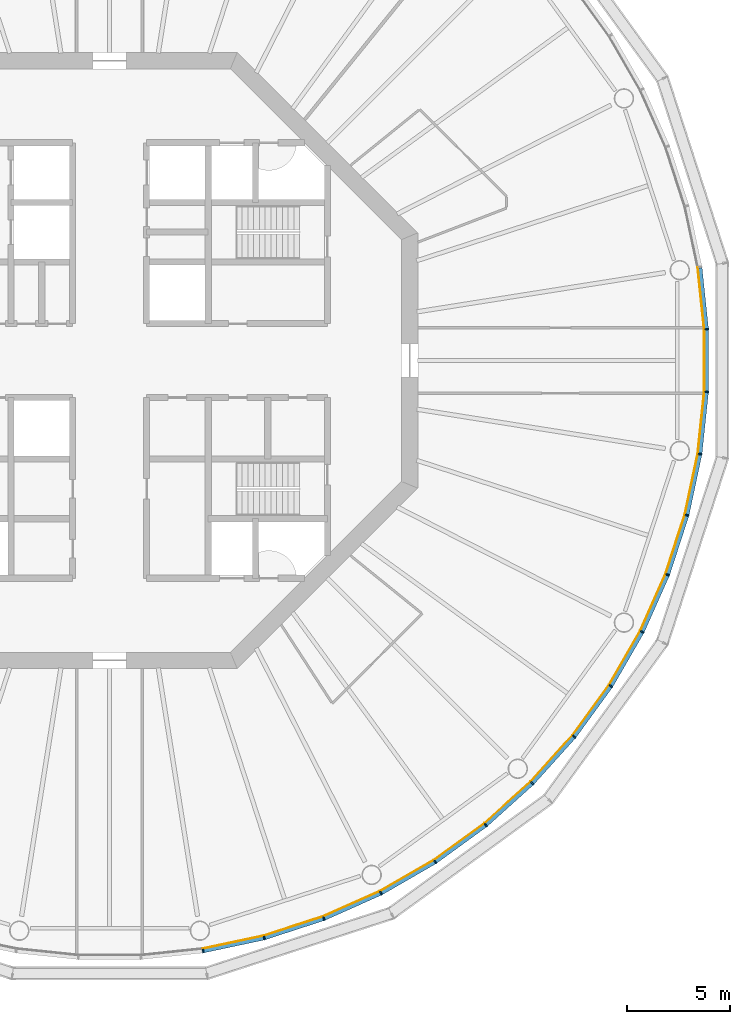
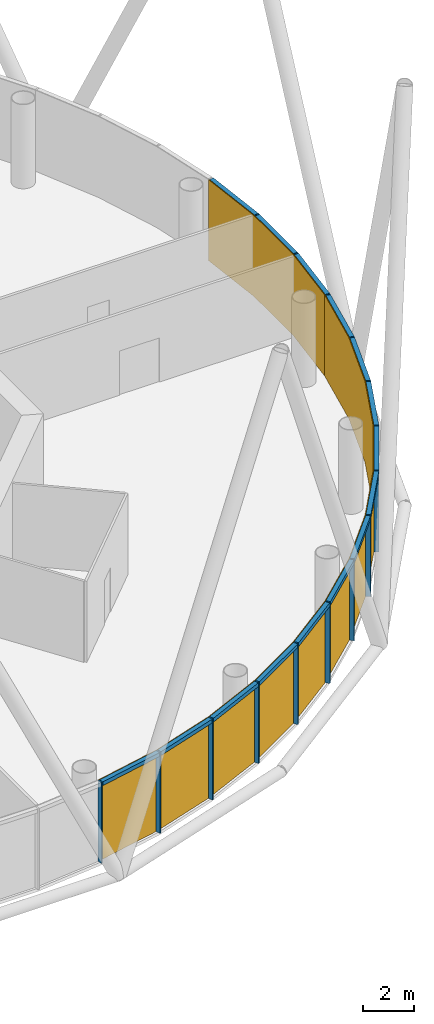
# One storey, part 9 of 13: 30 members, 5 curtain walls.
"""IFC4 building model written with IfcOpenShell, lengths in metres."""

from ifc_helpers import new_model, si_unit, direction, frame, origin, origin_2d, place, context, subcontext, project, spatial, polyline, rectangle, outline, extrude, material, layer, layer_set, material_profile, profile_set, type_object, element, aggregate, save


model = new_model("IFC4")

# Units and contexts
model_context = context("Model", 3, precision=1e-05, world=origin(), true_north=direction((0.0, 1.0)))
body_context = subcontext(model_context, "Body", "Model", "MODEL_VIEW")
ifc_project = project(units=[si_unit("LENGTHUNIT", "METRE"), si_unit("AREAUNIT", "SQUARE_METRE"), si_unit("VOLUMEUNIT", "CUBIC_METRE"), si_unit("PLANEANGLEUNIT", "RADIAN"), si_unit("MASSUNIT", "GRAM", prefix="KILO")], contexts=[model_context])

# Member
ifc_material_1 = material(Name="Anodised aluminium", Category="aluminium")
ifc_material_profile_1 = material_profile(ifc_material_1, rectangle(XDim=0.06494140625, YDim=0.195068359375, at=origin_2d()), Name="Mullion 65 x 195 mm anodised aluminium")
ifc_profile_set_1 = profile_set([ifc_material_profile_1], Name="Anodised aluminium")
member_type_1 = type_object("IfcMemberType", Name="Mullion 65 x 195 mm anodised aluminium", PredefinedType="MULLION", material=ifc_profile_set_1)
site_placement = place(None, origin())
building_placement = place(site_placement, origin())
storey_placement = place(building_placement, frame((0.0, 0.0, 274.0)))
member_1_placement = place(storey_placement, frame((94.5517578125, 51.2607421875, 0.0), z_axis=(0.0, 0.0, 1.0), x_axis=(0.987688340595, 0.15643446504, 0.0)))
member_1 = element("IfcMember", 1, at=member_1_placement, type_object=member_type_1, Name="MULLION L62-45", PredefinedType="MULLION", context=body_context, shape_type="SweptSolid", body=[
    extrude(rectangle(XDim=0.06494140625, YDim=0.195068359375, at=origin_2d()), origin(), (0.0, 0.0, 1.0), 3.85009765625),
])

member_2_placement = place(storey_placement, frame((97.531005859375, 51.89404296875, 0.0), z_axis=(0.0, 0.0, 1.0), x_axis=(0.965925826289, 0.258819045103, 0.0)))
member_2 = element("IfcMember", 2, at=member_2_placement, type_object=member_type_1, Name="MULLION L62-46", PredefinedType="MULLION", context=body_context, shape_type="SweptSolid", body=[
    extrude(rectangle(XDim=0.06494140625, YDim=0.195068359375, at=origin_2d()), origin(), (0.0, 0.0, 1.0), 3.85009765625),
])

member_3_placement = place(storey_placement, frame((100.427490234375, 52.835205078125, 0.0), z_axis=(0.0, 0.0, 1.0), x_axis=(0.933580426497, 0.358367949545, 0.0)))
member_3 = element("IfcMember", 3, at=member_3_placement, type_object=member_type_1, Name="MULLION L62-47", PredefinedType="MULLION", context=body_context, shape_type="SweptSolid", body=[
    extrude(rectangle(XDim=0.06494140625, YDim=0.195068359375, at=origin_2d()), origin(), (0.0, 0.0, 1.0), 3.85009765625),
])

member_4_placement = place(storey_placement, frame((103.2099609375, 54.073974609375, 0.0), z_axis=(0.0, 0.0, 1.0), x_axis=(0.891006524188, 0.45399049974, 0.0)))
member_4 = element("IfcMember", 4, at=member_4_placement, type_object=member_type_1, Name="MULLION L62-48", PredefinedType="MULLION", context=body_context, shape_type="SweptSolid", body=[
    extrude(rectangle(XDim=0.06494140625, YDim=0.195068359375, at=origin_2d()), origin(), (0.0, 0.0, 1.0), 3.85009765625),
])

member_5_placement = place(storey_placement, frame((105.84765625, 55.5966796875, 0.0), z_axis=(0.0, 0.0, 1.0), x_axis=(0.838670567945, 0.544639035015, 0.0)))
member_5 = element("IfcMember", 5, at=member_5_placement, type_object=member_type_1, Name="MULLION L62-49", PredefinedType="MULLION", context=body_context, shape_type="SweptSolid", body=[
    extrude(rectangle(XDim=0.06494140625, YDim=0.195068359375, at=origin_2d()), origin(), (0.0, 0.0, 1.0), 3.85009765625),
])

member_6_placement = place(storey_placement, frame((108.311767578125, 57.386962890625, 0.0), z_axis=(0.0, 0.0, 1.0), x_axis=(0.777145961457, 0.62932039105, 0.0)))
member_6 = element("IfcMember", 6, at=member_6_placement, type_object=member_type_1, Name="MULLION L62-50", PredefinedType="MULLION", context=body_context, shape_type="SweptSolid", body=[
    extrude(rectangle(XDim=0.06494140625, YDim=0.195068359375, at=origin_2d()), origin(), (0.0, 0.0, 1.0), 3.85009765625),
])

member_7_placement = place(storey_placement, frame((110.574951171875, 59.425048828125, 0.0), z_axis=(0.0, 0.0, 1.0), x_axis=(0.707106781187, 0.707106781187, 0.0)))
member_7 = element("IfcMember", 7, at=member_7_placement, type_object=member_type_1, Name="MULLION L62-51", PredefinedType="MULLION", context=body_context, shape_type="SweptSolid", body=[
    extrude(rectangle(XDim=0.06494140625, YDim=0.195068359375, at=origin_2d()), origin(), (0.0, 0.0, 1.0), 3.85009765625),
])

member_8_placement = place(storey_placement, frame((112.613037109375, 61.688232421875, 0.0), z_axis=(0.0, 0.0, 1.0), x_axis=(0.62932039105, 0.777145961457, 0.0)))
member_8 = element("IfcMember", 8, at=member_8_placement, type_object=member_type_1, Name="MULLION L62-52", PredefinedType="MULLION", context=body_context, shape_type="SweptSolid", body=[
    extrude(rectangle(XDim=0.06494140625, YDim=0.195068359375, at=origin_2d()), origin(), (0.0, 0.0, 1.0), 3.85009765625),
])

member_9_placement = place(storey_placement, frame((114.4033203125, 64.15234375, 0.0), z_axis=(0.0, 0.0, 1.0), x_axis=(0.544639035015, 0.838670567945, 0.0)))
member_9 = element("IfcMember", 9, at=member_9_placement, type_object=member_type_1, Name="MULLION L62-53", PredefinedType="MULLION", context=body_context, shape_type="SweptSolid", body=[
    extrude(rectangle(XDim=0.06494140625, YDim=0.195068359375, at=origin_2d()), origin(), (0.0, 0.0, 1.0), 3.85009765625),
])

member_10_placement = place(storey_placement, frame((115.926025390625, 66.7900390625, 0.0), z_axis=(0.0, 0.0, 1.0), x_axis=(0.45399049974, 0.891006524188, 0.0)))
member_10 = element("IfcMember", 10, at=member_10_placement, type_object=member_type_1, Name="MULLION L62-54", PredefinedType="MULLION", context=body_context, shape_type="SweptSolid", body=[
    extrude(rectangle(XDim=0.06494140625, YDim=0.195068359375, at=origin_2d()), origin(), (0.0, 0.0, 1.0), 3.85009765625),
])

member_11_placement = place(storey_placement, frame((117.164794921875, 69.572509765625, 0.0), z_axis=(0.0, 0.0, 1.0), x_axis=(0.358367949545, 0.933580426497, 0.0)))
member_11 = element("IfcMember", 11, at=member_11_placement, type_object=member_type_1, Name="MULLION L62-55", PredefinedType="MULLION", context=body_context, shape_type="SweptSolid", body=[
    extrude(rectangle(XDim=0.06494140625, YDim=0.195068359375, at=origin_2d()), origin(), (0.0, 0.0, 1.0), 3.85009765625),
])

member_12_placement = place(storey_placement, frame((118.10595703125, 72.468994140625, 0.0), z_axis=(0.0, 0.0, 1.0), x_axis=(0.258819045103, 0.965925826289, 0.0)))
member_12 = element("IfcMember", 12, at=member_12_placement, type_object=member_type_1, Name="MULLION L62-56", PredefinedType="MULLION", context=body_context, shape_type="SweptSolid", body=[
    extrude(rectangle(XDim=0.06494140625, YDim=0.195068359375, at=origin_2d()), origin(), (0.0, 0.0, 1.0), 3.85009765625),
])

member_13_placement = place(storey_placement, frame((118.7392578125, 75.4482421875, 0.0), z_axis=(0.0, 0.0, 1.0), x_axis=(0.15643446504, 0.987688340595, 0.0)))
member_13 = element("IfcMember", 13, at=member_13_placement, type_object=member_type_1, Name="MULLION L62-57", PredefinedType="MULLION", context=body_context, shape_type="SweptSolid", body=[
    extrude(rectangle(XDim=0.06494140625, YDim=0.195068359375, at=origin_2d()), origin(), (0.0, 0.0, 1.0), 3.85009765625),
])

member_14_placement = place(storey_placement, frame((119.0576171875, 78.47705078125, 0.0), z_axis=(0.0, 0.0, 1.0), x_axis=(0.052335956243, 0.998629534755, 0.0)))
member_14 = element("IfcMember", 14, at=member_14_placement, type_object=member_type_1, Name="MULLION L62-58", PredefinedType="MULLION", context=body_context, shape_type="SweptSolid", body=[
    extrude(rectangle(XDim=0.06494140625, YDim=0.195068359375, at=origin_2d()), origin(), (0.0, 0.0, 1.0), 3.85009765625),
])

member_15_placement = place(storey_placement, frame((119.0576171875, 81.52294921875, 0.0), z_axis=(0.0, 0.0, 1.0), x_axis=(-0.052335956243, 0.998629534755, 0.0)))
member_15 = element("IfcMember", 15, at=member_15_placement, type_object=member_type_1, Name="MULLION L62-59", PredefinedType="MULLION", context=body_context, shape_type="SweptSolid", body=[
    extrude(rectangle(XDim=0.06494140625, YDim=0.195068359375, at=origin_2d()), origin(), (0.0, 0.0, 1.0), 3.85009765625),
])

ifc_material_2 = material(Name="Anodised aluminium", Category="aluminium")
ifc_material_profile_2 = material_profile(ifc_material_2, rectangle(XDim=0.195068359375, YDim=0.179931640625, at=origin_2d()), Name="Transom 180 x 195 mm anodised aluminium")
ifc_profile_set_2 = profile_set([ifc_material_profile_2], Name="Anodised aluminium")
member_type_2 = type_object("IfcMemberType", Name="Transom 180 x 195 mm anodised aluminium", PredefinedType="USERDEFINED", material=ifc_profile_set_2)
member_16_placement = place(storey_placement, frame((94.588623046875, 51.268310546875, 3.760009765625), z_axis=(0.978141510112, 0.207940342877, 0.0), x_axis=(-0.207940342877, 0.978141510112, 0.0)))
member_16 = element("IfcMember", 16, at=member_16_placement, type_object=member_type_2, Name="TRANSOM L62-45", ObjectType="TRANSOM", PredefinedType="USERDEFINED", context=body_context, shape_type="SweptSolid", body=[
    extrude(rectangle(XDim=0.195068359375, YDim=0.179931640625, at=origin_2d()), origin(), (0.0, 0.0, 1.0), 2.970458984375),
])

member_17_placement = place(storey_placement, frame((97.56689453125, 51.905517578125, 3.760009765625), z_axis=(0.951047960094, 0.309043326415, 0.0), x_axis=(-0.309043326415, 0.951047960094, 0.0)))
member_17 = element("IfcMember", 17, at=member_17_placement, type_object=member_type_2, Name="TRANSOM L62-46", ObjectType="TRANSOM", PredefinedType="USERDEFINED", context=body_context, shape_type="SweptSolid", body=[
    extrude(rectangle(XDim=0.195068359375, YDim=0.179931640625, at=origin_2d()), origin(), (0.0, 0.0, 1.0), 2.970458984375),
])

member_18_placement = place(storey_placement, frame((100.4619140625, 52.850341796875, 3.760009765625), z_axis=(0.913550406593, 0.406725527369, 0.0), x_axis=(-0.406725527369, 0.913550406593, 0.0)))
member_18 = element("IfcMember", 18, at=member_18_placement, type_object=member_type_2, Name="TRANSOM L62-47", ObjectType="TRANSOM", PredefinedType="USERDEFINED", context=body_context, shape_type="SweptSolid", body=[
    extrude(rectangle(XDim=0.195068359375, YDim=0.179931640625, at=origin_2d()), origin(), (0.0, 0.0, 1.0), 2.970703125),
])

member_19_placement = place(storey_placement, frame((103.24267578125, 54.092529296875, 3.760009765625), z_axis=(0.866009025146, 0.500028367561, 0.0), x_axis=(-0.500028367561, 0.866009025146, 0.0)))
member_19 = element("IfcMember", 19, at=member_19_placement, type_object=member_type_2, Name="TRANSOM L62-48", ObjectType="TRANSOM", PredefinedType="USERDEFINED", context=body_context, shape_type="SweptSolid", body=[
    extrude(rectangle(XDim=0.195068359375, YDim=0.179931640625, at=origin_2d()), origin(), (0.0, 0.0, 1.0), 2.970458984375),
])

member_20_placement = place(storey_placement, frame((105.878173828125, 55.618896484375, 3.760009765625), z_axis=(0.809030990733, 0.587765987476, 0.0), x_axis=(-0.587765987476, 0.809030990733, 0.0)))
member_20 = element("IfcMember", 20, at=member_20_placement, type_object=member_type_2, Name="TRANSOM L62-49", ObjectType="TRANSOM", PredefinedType="USERDEFINED", context=body_context, shape_type="SweptSolid", body=[
    extrude(rectangle(XDim=0.195068359375, YDim=0.179931640625, at=origin_2d()), origin(), (0.0, 0.0, 1.0), 2.97021484375),
])

member_21_placement = place(storey_placement, frame((108.339599609375, 57.412109375, 3.760009765625), z_axis=(0.743163354343, 0.669110027395, 0.0), x_axis=(-0.669110027395, 0.743163354343, 0.0)))
member_21 = element("IfcMember", 21, at=member_21_placement, type_object=member_type_2, Name="TRANSOM L62-50", ObjectType="TRANSOM", PredefinedType="USERDEFINED", context=body_context, shape_type="SweptSolid", body=[
    extrude(rectangle(XDim=0.195068359375, YDim=0.179931640625, at=origin_2d()), origin(), (0.0, 0.0, 1.0), 2.970458984375),
])

member_22_placement = place(storey_placement, frame((110.600341796875, 59.452880859375, 3.760009765625), z_axis=(0.669110027395, 0.743163354343, 0.0), x_axis=(-0.743163354343, 0.669110027395, 0.0)))
member_22 = element("IfcMember", 22, at=member_22_placement, type_object=member_type_2, Name="TRANSOM L62-51", ObjectType="TRANSOM", PredefinedType="USERDEFINED", context=body_context, shape_type="SweptSolid", body=[
    extrude(rectangle(XDim=0.195068359375, YDim=0.179931640625, at=origin_2d()), origin(), (0.0, 0.0, 1.0), 2.970458984375),
])

member_23_placement = place(storey_placement, frame((112.63525390625, 61.71875, 3.760009765625), z_axis=(0.587765987476, 0.809030990733, 0.0), x_axis=(-0.809030990733, 0.587765987476, 0.0)))
member_23 = element("IfcMember", 23, at=member_23_placement, type_object=member_type_2, Name="TRANSOM L62-52", ObjectType="TRANSOM", PredefinedType="USERDEFINED", context=body_context, shape_type="SweptSolid", body=[
    extrude(rectangle(XDim=0.195068359375, YDim=0.179931640625, at=origin_2d()), origin(), (0.0, 0.0, 1.0), 2.97021484375),
])

member_24_placement = place(storey_placement, frame((114.422119140625, 64.184814453125, 3.760009765625), z_axis=(0.500028367561, 0.866009025146, 0.0), x_axis=(-0.866009025146, 0.500028367561, 0.0)))
member_24 = element("IfcMember", 24, at=member_24_placement, type_object=member_type_2, Name="TRANSOM L62-53", ObjectType="TRANSOM", PredefinedType="USERDEFINED", context=body_context, shape_type="SweptSolid", body=[
    extrude(rectangle(XDim=0.195068359375, YDim=0.179931640625, at=origin_2d()), origin(), (0.0, 0.0, 1.0), 2.970458984375),
])

member_25_placement = place(storey_placement, frame((115.94140625, 66.82421875, 3.760009765625), z_axis=(0.406725527369, 0.913550406593, 0.0), x_axis=(-0.913550406593, 0.406725527369, 0.0)))
member_25 = element("IfcMember", 25, at=member_25_placement, type_object=member_type_2, Name="TRANSOM L62-54", ObjectType="TRANSOM", PredefinedType="USERDEFINED", context=body_context, shape_type="SweptSolid", body=[
    extrude(rectangle(XDim=0.195068359375, YDim=0.179931640625, at=origin_2d()), origin(), (0.0, 0.0, 1.0), 2.970703125),
])

member_26_placement = place(storey_placement, frame((117.176513671875, 69.608154296875, 3.760009765625), z_axis=(0.309043326415, 0.951047960094, 0.0), x_axis=(-0.951047960094, 0.309043326415, 0.0)))
member_26 = element("IfcMember", 26, at=member_26_placement, type_object=member_type_2, Name="TRANSOM L62-55", ObjectType="TRANSOM", PredefinedType="USERDEFINED", context=body_context, shape_type="SweptSolid", body=[
    extrude(rectangle(XDim=0.195068359375, YDim=0.179931640625, at=origin_2d()), origin(), (0.0, 0.0, 1.0), 2.970458984375),
])

member_27_placement = place(storey_placement, frame((118.114013671875, 72.505859375, 3.760009765625), z_axis=(0.207940342877, 0.978141510112, 0.0), x_axis=(-0.978141510112, 0.207940342877, 0.0)))
member_27 = element("IfcMember", 27, at=member_27_placement, type_object=member_type_2, Name="TRANSOM L62-56", ObjectType="TRANSOM", PredefinedType="USERDEFINED", context=body_context, shape_type="SweptSolid", body=[
    extrude(rectangle(XDim=0.195068359375, YDim=0.179931640625, at=origin_2d()), origin(), (0.0, 0.0, 1.0), 2.970458984375),
])

member_28_placement = place(storey_placement, frame((118.743408203125, 75.485595703125, 3.760009765625), z_axis=(0.104466577987, 0.994528397827, 0.0), x_axis=(-0.994528397827, 0.104466577987, 0.0)))
member_28 = element("IfcMember", 28, at=member_28_placement, type_object=member_type_2, Name="TRANSOM L62-57", ObjectType="TRANSOM", PredefinedType="USERDEFINED", context=body_context, shape_type="SweptSolid", body=[
    extrude(rectangle(XDim=0.195068359375, YDim=0.179931640625, at=origin_2d()), origin(), (0.0, 0.0, 1.0), 2.970458984375),
])

member_29_placement = place(storey_placement, frame((119.057861328125, 78.5146484375, 3.760009765625), z_axis=(0.0, 1.0, 0.0), x_axis=(-1.0, 0.0, 0.0)))
member_29 = element("IfcMember", 29, at=member_29_placement, type_object=member_type_2, Name="TRANSOM L62-58", ObjectType="TRANSOM", PredefinedType="USERDEFINED", context=body_context, shape_type="SweptSolid", body=[
    extrude(rectangle(XDim=0.195068359375, YDim=0.179931640625, at=origin_2d()), origin(), (0.0, 0.0, 1.0), 2.970703125),
])

member_30_placement = place(storey_placement, frame((119.0537109375, 81.560302734375, 3.760009765625), z_axis=(-0.104466577987, 0.994528397827, 0.0), x_axis=(-0.994528397827, -0.104466577987, 0.0)))
member_30 = element("IfcMember", 30, at=member_30_placement, type_object=member_type_2, Name="TRANSOM L62-59", ObjectType="TRANSOM", PredefinedType="USERDEFINED", context=body_context, shape_type="SweptSolid", body=[
    extrude(rectangle(XDim=0.195068359375, YDim=0.179931640625, at=origin_2d()), origin(), (0.0, 0.0, 1.0), 2.970458984375),
])

# Site, building, storey
site = spatial("IfcSite", under=ifc_project, at=site_placement, CompositionType="ELEMENT")
building = spatial("IfcBuilding", under=site, at=building_placement, Name="Entoto Ring Tower", CompositionType="ELEMENT")
storey = spatial("IfcBuildingStorey", under=building, at=storey_placement, Name="L62", CompositionType="ELEMENT", Elevation=274.0)

# Curtain wall
ifc_material_3 = material(Name="Clear low-iron glass", Category="glass")
ifc_layer = layer(ifc_material_3, 0.033935546875)
ifc_layer_set = layer_set([ifc_layer], Name="Clear low-iron glass")
curtain_wall_type = type_object("IfcCurtainWallType", Name="Curtain wall system CW5 glazing 34 mm", PredefinedType="NOTDEFINED", material=ifc_layer_set)
curtain_wall_1_placement = place(storey_placement, origin())
curtain_wall_1 = element("IfcCurtainWall", 31, at=curtain_wall_1_placement, inside=storey, type_object=curtain_wall_type, Name="CW5 L62-16", PredefinedType="NOTDEFINED", context=body_context, shape_type="SweptSolid", body=[
    extrude(outline(polyline([(94.53662109375, 51.35693359375), (97.505859375, 51.988037109375), (100.392578125, 52.92626953125), (103.165771484375, 54.160888671875), (103.150146484375, 54.191162109375), (100.38037109375, 52.9580078125), (97.496826171875, 52.02099609375), (94.53125, 51.390625), (94.53662109375, 51.35693359375)])), origin(), (0.0, 0.0, 1.0), 3.85009765625),
])

aggregate(curtain_wall_1, [member_1, member_2, member_3, member_16, member_17, member_18])

curtain_wall_2_placement = place(storey_placement, origin())
curtain_wall_2 = element("IfcCurtainWall", 32, at=curtain_wall_2_placement, inside=storey, type_object=curtain_wall_type, Name="CW5 L62-17", PredefinedType="NOTDEFINED", context=body_context, shape_type="SweptSolid", body=[
    extrude(outline(polyline([(103.165771484375, 54.160888671875), (105.79443359375, 55.678466796875), (108.250244140625, 57.462646484375), (110.506103515625, 59.493896484375), (110.48193359375, 59.51806640625), (108.228759765625, 57.4892578125), (105.77587890625, 55.70703125), (103.150146484375, 54.191162109375), (103.165771484375, 54.160888671875)])), origin(), (0.0, 0.0, 1.0), 3.85009765625),
])

aggregate(curtain_wall_2, [member_4, member_5, member_6, member_19, member_20, member_21])

curtain_wall_3_placement = place(storey_placement, origin())
curtain_wall_3 = element("IfcCurtainWall", 33, at=curtain_wall_3_placement, inside=storey, type_object=curtain_wall_type, Name="CW5 L62-18", PredefinedType="NOTDEFINED", context=body_context, shape_type="SweptSolid", body=[
    extrude(outline(polyline([(110.506103515625, 59.493896484375), (112.537353515625, 61.749755859375), (114.321533203125, 64.20556640625), (115.839111328125, 66.834228515625), (115.808837890625, 66.849853515625), (114.29296875, 64.22412109375), (112.5107421875, 61.771240234375), (110.48193359375, 59.51806640625), (110.506103515625, 59.493896484375)])), origin(), (0.0, 0.0, 1.0), 3.85009765625),
])

aggregate(curtain_wall_3, [member_7, member_8, member_9, member_22, member_23, member_24])

curtain_wall_4_placement = place(storey_placement, origin())
curtain_wall_4 = element("IfcCurtainWall", 34, at=curtain_wall_4_placement, inside=storey, type_object=curtain_wall_type, Name="CW5 L62-19", PredefinedType="NOTDEFINED", context=body_context, shape_type="SweptSolid", body=[
    extrude(outline(polyline([(115.839111328125, 66.834228515625), (117.07373046875, 69.607421875), (118.011962890625, 72.494140625), (118.64306640625, 75.46337890625), (118.609375, 75.46875), (117.97900390625, 72.503173828125), (117.0419921875, 69.61962890625), (115.808837890625, 66.849853515625), (115.839111328125, 66.834228515625)])), origin(), (0.0, 0.0, 1.0), 3.85009765625),
])

aggregate(curtain_wall_4, [member_10, member_11, member_12, member_25, member_26, member_27])

curtain_wall_5_placement = place(storey_placement, origin())
curtain_wall_5 = element("IfcCurtainWall", 35, at=curtain_wall_5_placement, inside=storey, type_object=curtain_wall_type, Name="CW5 L62-20", PredefinedType="NOTDEFINED", context=body_context, shape_type="SweptSolid", body=[
    extrude(outline(polyline([(118.64306640625, 75.46337890625), (118.960205078125, 78.482177734375), (118.960205078125, 81.517822265625), (118.64306640625, 84.53662109375), (118.609375, 84.53125), (118.92626953125, 81.515869140625), (118.92626953125, 78.484130859375), (118.609375, 75.46875), (118.64306640625, 75.46337890625)])), origin(), (0.0, 0.0, 1.0), 3.85009765625),
])

aggregate(curtain_wall_5, [member_13, member_14, member_15, member_28, member_29, member_30])

save(model, "model.ifc")
